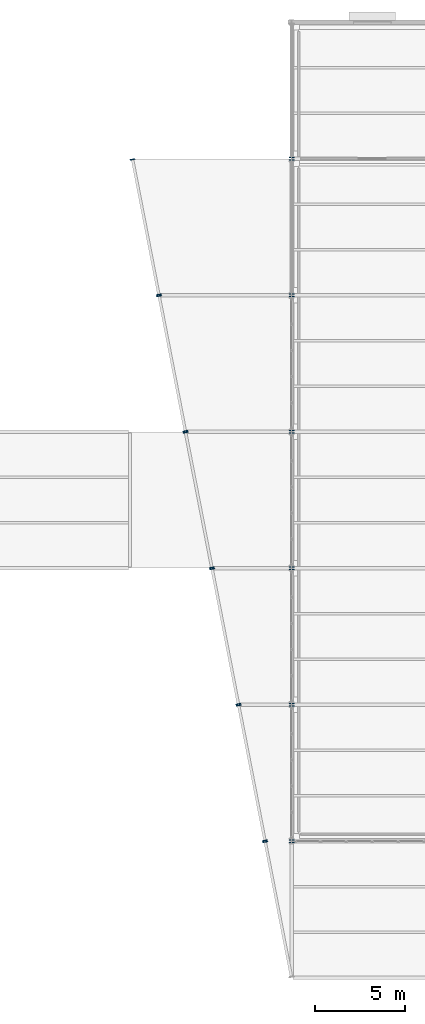
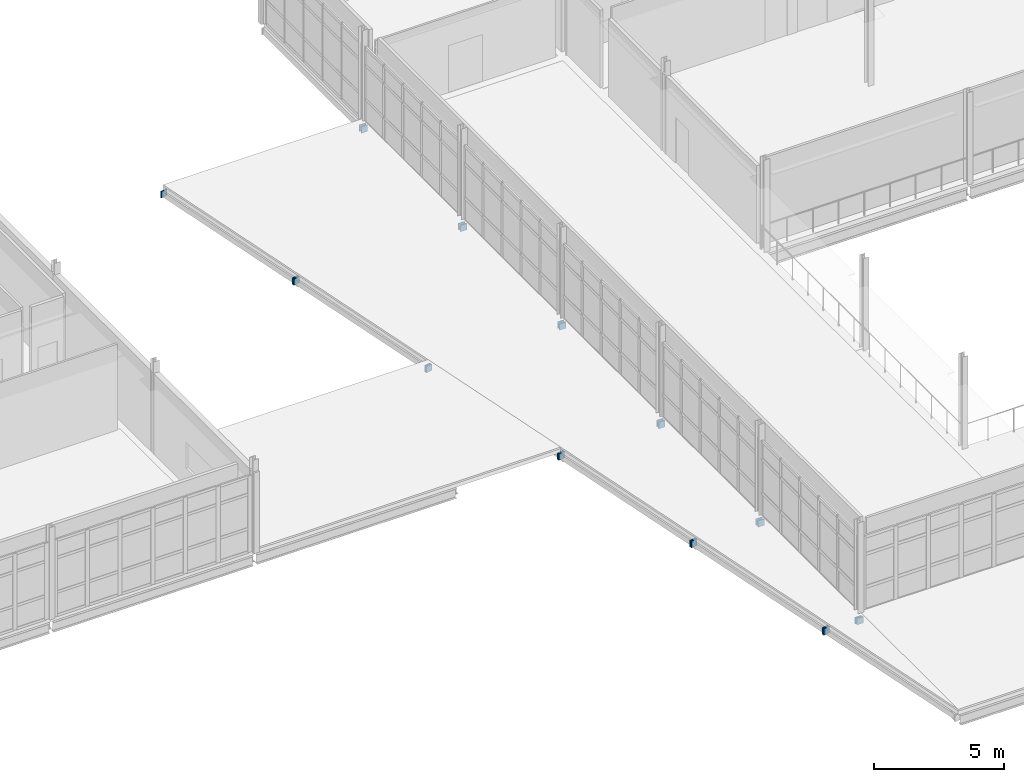
# One storey, part 79 of 96: 23 plates.
"""IFC4 building model written with IfcOpenShell, lengths in metres."""

from ifc_helpers import new_model, si_unit, direction, frame, origin, origin_2d, place, context, subcontext, project, spatial, rectangle, extrude, material, layer, layer_set, type_object, element, save


model = new_model("IFC4")

# Units and contexts
model_context = context("Model", 3, precision=1e-05, world=origin(), true_north=direction((0.0, 1.0)))
body_context = subcontext(model_context, "Body", "Model", "MODEL_VIEW")
ifc_project = project(units=[si_unit("LENGTHUNIT", "METRE"), si_unit("AREAUNIT", "SQUARE_METRE"), si_unit("VOLUMEUNIT", "CUBIC_METRE"), si_unit("PLANEANGLEUNIT", "RADIAN"), si_unit("MASSUNIT", "GRAM", prefix="KILO")], contexts=[model_context])

# Site, building, storey
site_placement = place(None, origin())
site = spatial("IfcSite", under=ifc_project, at=site_placement, CompositionType="ELEMENT")
building_placement = place(site_placement, origin())
building = spatial("IfcBuilding", under=site, at=building_placement, Name="Caisbarro Railhouse Central Library", CompositionType="ELEMENT")
storey_placement = place(building_placement, frame((0.0, 0.0, 13.679931640625)))
storey = spatial("IfcBuildingStorey", under=building, at=storey_placement, Name="L03", CompositionType="ELEMENT", Elevation=13.679931640625)

# Plates
ifc_material = material(Name="Steel ASTM A572 Grade 50", Category="steel")
ifc_layer = layer(ifc_material, 0.044921875, Name="Steel ASTM A572 Grade 50")
ifc_layer_set = layer_set([ifc_layer], Name="Steel ASTM A572 Grade 50")
plate_type = type_object("IfcPlateType", Name="PLT-EP01", PredefinedType="SHEET", material=ifc_layer_set)
for number, where, z_axis, x_axis, name in (
    (1, (117.0, 68.468017578125, -0.52001953125), (0.0, 0.0, 1.0), (0.0, 1.0, 0.0), "EP01 end cap plate"),
    (2, (117.0, 75.931884765625, -0.52001953125), (0.0, 0.0, 1.0), (0.0, 1.0, 0.0), "EP01 end cap plate"),
    (3, (117.0, 76.068115234375, -0.52001953125), (0.0, 0.0, 1.0), (0.0, 1.0, 0.0), "EP01 end cap plate"),
    (4, (117.0, 83.531982421875, -0.52001953125), (0.0, 0.0, 1.0), (0.0, 1.0, 0.0), "EP01 end cap plate"),
    (5, (117.0, 83.66796875, -0.52001953125), (0.0, 0.0, 1.0), (0.0, 1.0, 0.0), "EP01 end cap plate"),
    (6, (117.0, 91.132080078125, -0.52001953125), (0.0, 0.0, 1.0), (0.0, 1.0, 0.0), "EP01 end cap plate"),
    (7, (117.0, 91.26806640625, -0.52001953125), (0.0, 0.0, 1.0), (0.0, 1.0, 0.0), "EP01 end cap plate"),
    (8, (117.0, 98.73193359375, -0.52001953125), (0.0, 0.0, 1.0), (0.0, 1.0, 0.0), "EP01 end cap plate"),
    (9, (117.0, 98.867919921875, -0.52001953125), (0.0, 0.0, 1.0), (0.0, 1.0, 0.0), "EP01 end cap plate"),
    (10, (117.0, 106.33203125, -0.52001953125), (0.0, 0.0, 1.0), (0.0, 1.0, 0.0), "EP01 end cap plate"),
    (11, (117.0, 106.468017578125, -0.52001953125), (0.0, 0.0, 1.0), (0.0, 1.0, 0.0), "EP01 end cap plate"),
    (12, (117.0, 68.33203125, -0.47998046875), (0.0, 0.0, 1.0), (0.0, 1.0, 0.0), "EP01 end cap plate"),
    (13, (115.5302734375, 68.36279296875, -0.455078125), (0.0, 0.0, 1.0), (-0.190808995377, 0.981627183448, 0.0), "EP01 end cap plate"),
    (14, (115.515869140625, 68.437255859375, -0.455078125), (0.0, 0.0, 1.0), (-0.190980318733, 0.981593866045, 0.0), "EP01 end cap plate"),
    (15, (114.05224609375, 75.962646484375, -0.455078125), (0.0, 0.0, 1.0), (-0.190980318733, 0.981593866045, 0.0), "EP01 end cap plate"),
    (16, (114.037841796875, 76.037353515625, -0.455078125), (0.0, 0.0, 1.0), (-0.190808995377, 0.981627183448, 0.0), "EP01 end cap plate"),
    (17, (112.5751953125, 83.562744140625, -0.455078125), (0.0, 0.0, 1.0), (-0.190808995377, 0.981627183448, 0.0), "EP01 end cap plate"),
    (18, (112.560791015625, 83.63720703125, -0.455078125), (0.0, 0.0, 1.0), (-0.190808995377, 0.981627183448, 0.0), "EP01 end cap plate"),
    (19, (111.09814453125, 91.16259765625, -0.455078125), (0.0, 0.0, 1.0), (-0.190808995377, 0.981627183448, 0.0), "EP01 end cap plate"),
    (20, (111.083740234375, 91.2373046875, -0.455078125), (0.0, 0.0, 1.0), (-0.190808995377, 0.981627183448, 0.0), "EP01 end cap plate"),
    (21, (109.62109375, 98.7626953125, -0.455078125), (0.0, 0.0, 1.0), (-0.190808995377, 0.981627183448, 0.0), "EP01 end cap plate"),
    (22, (109.606689453125, 98.83740234375, -0.455078125), (0.0, 0.0, 1.0), (-0.190980318733, 0.981593866045, 0.0), "EP01 end cap plate"),
    (23, (108.143310546875, 106.36279296875, -0.455078125), (0.0, 0.0, 1.0), (-0.190980318733, 0.981593866045, 0.0), "EP01 end cap plate"),
):
    element("IfcPlate", number, at=place(storey_placement, frame(where, z_axis=z_axis, x_axis=x_axis)), inside=storey, type_object=plate_type, Name=name, PredefinedType="SHEET", context=body_context, shape_type="SweptSolid", body=[
        extrude(rectangle(XDim=0.044921875, YDim=0.280029296875, at=origin_2d()), origin(), (0.0, 0.0, 1.0), 0.300048828125),
    ])

save(model, "model.ifc")
